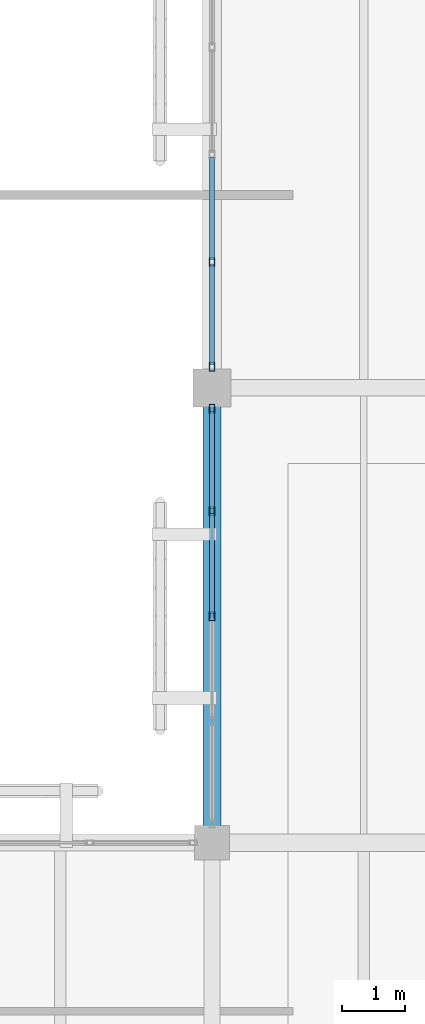
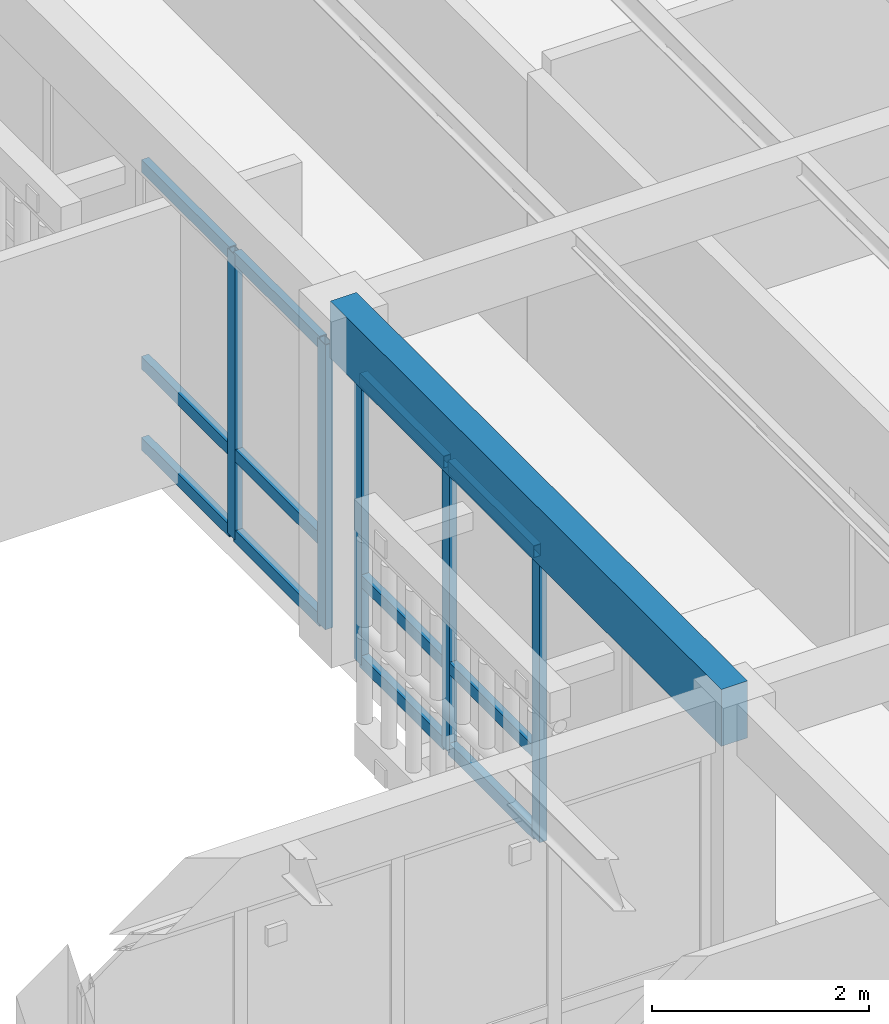
# One storey, part 32 of 170: 17 members, 1 beam, 2 elements without a shape of their own.
"""IFC4 building model written with IfcOpenShell, lengths in metres."""

from ifc_helpers import new_model, si_unit, direction, frame, origin, origin_2d, place, context, subcontext, project, spatial, rectangle, hollow_rectangle, extrude, material, layer, layer_set, material_profile, profile_set, type_object, element, aggregate, save


model = new_model("IFC4")

# Units and contexts
model_context = context("Model", 3, precision=1e-05, world=origin(), true_north=direction((0.0, 1.0)))
body_context = subcontext(model_context, "Body", "Model", "MODEL_VIEW")
ifc_project = project(units=[si_unit("LENGTHUNIT", "METRE"), si_unit("AREAUNIT", "SQUARE_METRE"), si_unit("VOLUMEUNIT", "CUBIC_METRE"), si_unit("PLANEANGLEUNIT", "RADIAN"), si_unit("MASSUNIT", "GRAM", prefix="KILO")], contexts=[model_context])

# Site, building, storey
site_placement = place(None, origin())
site = spatial("IfcSite", under=ifc_project, at=site_placement, CompositionType="ELEMENT")
building_placement = place(site_placement, origin())
building = spatial("IfcBuilding", under=site, at=building_placement, Name="Mazaris Harbour Polytechnic", CompositionType="ELEMENT")
storey_placement = place(building_placement, frame((0.0, 0.0, 5.39990234375)))
storey = spatial("IfcBuildingStorey", under=building, at=storey_placement, Name="L01", CompositionType="ELEMENT", Elevation=5.39990234375)

# Curtain wall, members
ifc_material_1 = material(Name="Anodised Bronze Aluminium and Low-E Glass", Category="aluminium")
ifc_layer = layer(ifc_material_1, 0.159912109375, Name="Anodised Bronze Aluminium and Low-E Glass")
ifc_layer_set = layer_set([ifc_layer], Name="Anodised Bronze Aluminium and Low-E Glass")
curtain_wall_type = type_object("IfcCurtainWallType", Name="Cloister Court Curtain Wall", PredefinedType="NOTDEFINED", material=ifc_layer_set)
curtain_wall_1_placement = place(storey_placement, origin())
curtain_wall_1 = element("IfcCurtainWall", 1, at=curtain_wall_1_placement, inside=storey, type_object=curtain_wall_type, Name="V4 L01 Curtain Wall 124", PredefinedType="NOTDEFINED")
ifc_material_2 = material(Name="Anodised Bronze Steel S355", Category="steel")
ifc_material_profile_1 = material_profile(ifc_material_2, hollow_rectangle(XDim=0.080078125, YDim=0.139892578125, WallThickness=0.00634765625, at=origin_2d()), Name="RHS 80x140x6.3")
ifc_profile_set_1 = profile_set([ifc_material_profile_1], Name="Anodised Bronze Steel S355")
member_type_1 = type_object("IfcMemberType", Name="Curtain Mullion RHS80x140", PredefinedType="MULLION", material=ifc_profile_set_1)
member_1_placement = place(storey_placement, frame((28.800048828125, 42.867919921875, 0.0), z_axis=(0.0, 0.0, 1.0), x_axis=(1.0, 0.0, 0.0)))
member_1 = element("IfcMember", 2, at=member_1_placement, type_object=member_type_1, Name="CW-02 mullion 1", PredefinedType="MULLION", context=body_context, shape_type="SweptSolid", body=[
    extrude(hollow_rectangle(XDim=0.080078125, YDim=0.139892578125, WallThickness=0.00634765625, at=origin_2d()), origin(), (0.0, 0.0, 1.0), 3.239990234375),
])
member_2_placement = place(storey_placement, frame((28.800048828125, 41.247802734375, 0.0), z_axis=(0.0, 0.0, 1.0), x_axis=(1.0, 0.0, 0.0)))
member_2 = element("IfcMember", 3, at=member_2_placement, type_object=member_type_1, Name="CW-02 mullion 2", PredefinedType="MULLION", context=body_context, shape_type="SweptSolid", body=[
    extrude(hollow_rectangle(XDim=0.080078125, YDim=0.139892578125, WallThickness=0.00634765625, at=origin_2d()), origin(), (0.0, 0.0, 1.0), 3.239990234375),
])
member_3_placement = place(storey_placement, frame((28.800048828125, 39.58740234375, 0.0), z_axis=(0.0, 0.0, 1.0), x_axis=(1.0, 0.0, 0.0)))
member_3 = element("IfcMember", 4, at=member_3_placement, type_object=member_type_1, Name="CW-02 mullion 3", PredefinedType="MULLION", context=body_context, shape_type="SweptSolid", body=[
    extrude(hollow_rectangle(XDim=0.080078125, YDim=0.139892578125, WallThickness=0.00634765625, at=origin_2d()), origin(), (0.0, 0.0, 1.0), 3.239990234375),
])

curtain_wall_2_placement = place(storey_placement, origin())
curtain_wall_2 = element("IfcCurtainWall", 5, at=curtain_wall_2_placement, inside=storey, type_object=curtain_wall_type, Name="V4 L01 Curtain Wall 125", PredefinedType="NOTDEFINED")
member_4_placement = place(storey_placement, frame((28.800048828125, 45.1904296875, 0.0), z_axis=(0.0, 0.0, 1.0), x_axis=(1.0, 0.0, 0.0)))
member_4 = element("IfcMember", 6, at=member_4_placement, type_object=member_type_1, Name="CW-02 mullion 6", PredefinedType="MULLION", context=body_context, shape_type="SweptSolid", body=[
    extrude(hollow_rectangle(XDim=0.080078125, YDim=0.139892578125, WallThickness=0.00634765625, at=origin_2d()), origin(), (0.0, 0.0, 1.0), 3.2001953125),
])
member_5_placement = place(storey_placement, frame((28.800048828125, 43.531982421875, 0.0), z_axis=(0.0, 0.0, 1.0), x_axis=(1.0, 0.0, 0.0)))
member_5 = element("IfcMember", 7, at=member_5_placement, type_object=member_type_1, Name="CW-02 mullion 7", PredefinedType="MULLION", context=body_context, shape_type="SweptSolid", body=[
    extrude(hollow_rectangle(XDim=0.080078125, YDim=0.139892578125, WallThickness=0.00634765625, at=origin_2d()), origin(), (0.0, 0.0, 1.0), 3.2001953125),
])

# Member
ifc_material_3 = material(Name="Anodised Bronze Steel S355", Category="steel")
ifc_material_profile_2 = material_profile(ifc_material_3, hollow_rectangle(XDim=0.080078125, YDim=0.139892578125, WallThickness=0.00634765625, at=origin_2d()), Name="RHS 80x140x6.3")
ifc_profile_set_2 = profile_set([ifc_material_profile_2], Name="Anodised Bronze Steel S355")
member_type_2 = type_object("IfcMemberType", Name="Curtain Transom RHS80x140", PredefinedType="USERDEFINED", material=ifc_profile_set_2)
member_6_placement = place(storey_placement, frame((28.800048828125, 42.827880859375, 0.0400390625), z_axis=(0.0, -1.0, 0.0), x_axis=(1.0, 0.0, 0.0)))
member_6 = element("IfcMember", 8, at=member_6_placement, type_object=member_type_2, Name="CW-02 transom 1.1", ObjectType="TRANSOM", PredefinedType="USERDEFINED", context=body_context, shape_type="SweptSolid", body=[
    extrude(hollow_rectangle(XDim=0.080078125, YDim=0.139892578125, WallThickness=0.00634765625, at=origin_2d()), origin(), (0.0, 0.0, 1.0), 1.5400390625),
])

member_7_placement = place(storey_placement, frame((28.800048828125, 42.827880859375, 0.9501953125), z_axis=(0.0, -1.0, 0.0), x_axis=(1.0, 0.0, 0.0)))
member_7 = element("IfcMember", 9, at=member_7_placement, type_object=member_type_2, Name="CW-02 transom 1.2", ObjectType="TRANSOM", PredefinedType="USERDEFINED", context=body_context, shape_type="SweptSolid", body=[
    extrude(hollow_rectangle(XDim=0.080078125, YDim=0.139892578125, WallThickness=0.00634765625, at=origin_2d()), origin(), (0.0, 0.0, 1.0), 1.5400390625),
])

member_8_placement = place(storey_placement, frame((28.800048828125, 42.827880859375, 3.2001953125), z_axis=(0.0, -1.0, 0.0), x_axis=(1.0, 0.0, 0.0)))
member_8 = element("IfcMember", 10, at=member_8_placement, type_object=member_type_2, Name="CW-02 transom 1.3", ObjectType="TRANSOM", PredefinedType="USERDEFINED", context=body_context, shape_type="SweptSolid", body=[
    extrude(hollow_rectangle(XDim=0.080078125, YDim=0.139892578125, WallThickness=0.00634765625, at=origin_2d()), origin(), (0.0, 0.0, 1.0), 1.5400390625),
])

member_9_placement = place(storey_placement, frame((28.800048828125, 41.207763671875, 0.0400390625), z_axis=(0.0, -1.0, 0.0), x_axis=(1.0, 0.0, 0.0)))
member_9 = element("IfcMember", 11, at=member_9_placement, type_object=member_type_2, Name="CW-02 transom 2.1", ObjectType="TRANSOM", PredefinedType="USERDEFINED", context=body_context, shape_type="SweptSolid", body=[
    extrude(hollow_rectangle(XDim=0.080078125, YDim=0.139892578125, WallThickness=0.00634765625, at=origin_2d()), origin(), (0.0, 0.0, 1.0), 1.580322265625),
])

member_10_placement = place(storey_placement, frame((28.800048828125, 41.207763671875, 0.9501953125), z_axis=(0.0, -1.0, 0.0), x_axis=(1.0, 0.0, 0.0)))
member_10 = element("IfcMember", 12, at=member_10_placement, type_object=member_type_2, Name="CW-02 transom 2.2", ObjectType="TRANSOM", PredefinedType="USERDEFINED", context=body_context, shape_type="SweptSolid", body=[
    extrude(hollow_rectangle(XDim=0.080078125, YDim=0.139892578125, WallThickness=0.00634765625, at=origin_2d()), origin(), (0.0, 0.0, 1.0), 1.580322265625),
])

member_11_placement = place(storey_placement, frame((28.800048828125, 41.207763671875, 3.2001953125), z_axis=(0.0, -1.0, 0.0), x_axis=(1.0, 0.0, 0.0)))
member_11 = element("IfcMember", 13, at=member_11_placement, type_object=member_type_2, Name="CW-02 transom 2.3", ObjectType="TRANSOM", PredefinedType="USERDEFINED", context=body_context, shape_type="SweptSolid", body=[
    extrude(hollow_rectangle(XDim=0.080078125, YDim=0.139892578125, WallThickness=0.00634765625, at=origin_2d()), origin(), (0.0, 0.0, 1.0), 1.580322265625),
])

aggregate(curtain_wall_1, [member_1, member_2, member_3, member_6, member_7, member_8, member_9, member_10, member_11])

member_12_placement = place(storey_placement, frame((28.800048828125, 46.84912109375, 0.0400390625), z_axis=(0.0, -1.0, 0.0), x_axis=(1.0, 0.0, 0.0)))
member_12 = element("IfcMember", 14, at=member_12_placement, type_object=member_type_2, Name="CW-02 transom 5.1", ObjectType="TRANSOM", PredefinedType="USERDEFINED", context=body_context, shape_type="SweptSolid", body=[
    extrude(hollow_rectangle(XDim=0.080078125, YDim=0.139892578125, WallThickness=0.00634765625, at=origin_2d()), origin(), (0.0, 0.0, 1.0), 1.61865234375),
])

member_13_placement = place(storey_placement, frame((28.800048828125, 46.84912109375, 0.9501953125), z_axis=(0.0, -1.0, 0.0), x_axis=(1.0, 0.0, 0.0)))
member_13 = element("IfcMember", 15, at=member_13_placement, type_object=member_type_2, Name="CW-02 transom 5.2", ObjectType="TRANSOM", PredefinedType="USERDEFINED", context=body_context, shape_type="SweptSolid", body=[
    extrude(hollow_rectangle(XDim=0.080078125, YDim=0.139892578125, WallThickness=0.00634765625, at=origin_2d()), origin(), (0.0, 0.0, 1.0), 1.61865234375),
])

member_14_placement = place(storey_placement, frame((28.800048828125, 46.84912109375, 3.16015625), z_axis=(0.0, -1.0, 0.0), x_axis=(1.0, 0.0, 0.0)))
member_14 = element("IfcMember", 16, at=member_14_placement, type_object=member_type_2, Name="CW-02 transom 5.3", ObjectType="TRANSOM", PredefinedType="USERDEFINED", context=body_context, shape_type="SweptSolid", body=[
    extrude(hollow_rectangle(XDim=0.080078125, YDim=0.139892578125, WallThickness=0.00634765625, at=origin_2d()), origin(), (0.0, 0.0, 1.0), 1.61865234375),
])

member_15_placement = place(storey_placement, frame((28.800048828125, 45.150390625, 0.0400390625), z_axis=(0.0, -1.0, 0.0), x_axis=(1.0, 0.0, 0.0)))
member_15 = element("IfcMember", 17, at=member_15_placement, type_object=member_type_2, Name="CW-02 transom 6.1", ObjectType="TRANSOM", PredefinedType="USERDEFINED", context=body_context, shape_type="SweptSolid", body=[
    extrude(hollow_rectangle(XDim=0.080078125, YDim=0.139892578125, WallThickness=0.00634765625, at=origin_2d()), origin(), (0.0, 0.0, 1.0), 1.578369140625),
])

member_16_placement = place(storey_placement, frame((28.800048828125, 45.150390625, 0.9501953125), z_axis=(0.0, -1.0, 0.0), x_axis=(1.0, 0.0, 0.0)))
member_16 = element("IfcMember", 18, at=member_16_placement, type_object=member_type_2, Name="CW-02 transom 6.2", ObjectType="TRANSOM", PredefinedType="USERDEFINED", context=body_context, shape_type="SweptSolid", body=[
    extrude(hollow_rectangle(XDim=0.080078125, YDim=0.139892578125, WallThickness=0.00634765625, at=origin_2d()), origin(), (0.0, 0.0, 1.0), 1.578369140625),
])

member_17_placement = place(storey_placement, frame((28.800048828125, 45.150390625, 3.16015625), z_axis=(0.0, -1.0, 0.0), x_axis=(1.0, 0.0, 0.0)))
member_17 = element("IfcMember", 19, at=member_17_placement, type_object=member_type_2, Name="CW-02 transom 6.3", ObjectType="TRANSOM", PredefinedType="USERDEFINED", context=body_context, shape_type="SweptSolid", body=[
    extrude(hollow_rectangle(XDim=0.080078125, YDim=0.139892578125, WallThickness=0.00634765625, at=origin_2d()), origin(), (0.0, 0.0, 1.0), 1.578369140625),
])

aggregate(curtain_wall_2, [member_4, member_5, member_12, member_13, member_14, member_15, member_16, member_17])

# Beam
ifc_material_4 = material(Name="Glulam GL32h", Category="wood")
ifc_material_profile_3 = material_profile(ifc_material_4, rectangle(XDim=0.280029296875, YDim=0.639892578125, at=origin_2d()), Name="RECT280x640")
ifc_profile_set_3 = profile_set([ifc_material_profile_3], Name="Glulam GL32h")
beam_type = type_object("IfcBeamType", Name="Glulam Girder 280x640", PredefinedType="BEAM", material=ifc_profile_set_3)
beam_placement = place(storey_placement, frame((28.800048828125, 36.0, 3.570068359375), z_axis=(0.0, 1.0, 0.0), x_axis=(-1.0, 0.0, 0.0)))
element("IfcBeam", 20, at=beam_placement, inside=storey, type_object=beam_type, Name="V4 L01 Tie Girder 1742", PredefinedType="BEAM", context=body_context, shape_type="SweptSolid", body=[
    extrude(rectangle(XDim=0.280029296875, YDim=0.639892578125, at=origin_2d()), origin(), (0.0, 0.0, 1.0), 7.199951171875),
])

save(model, "model.ifc")
